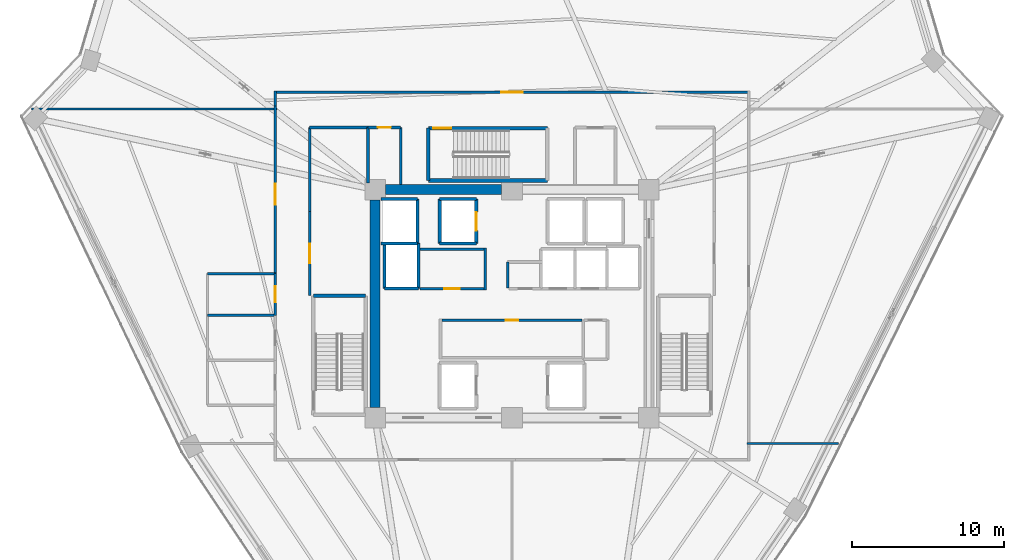
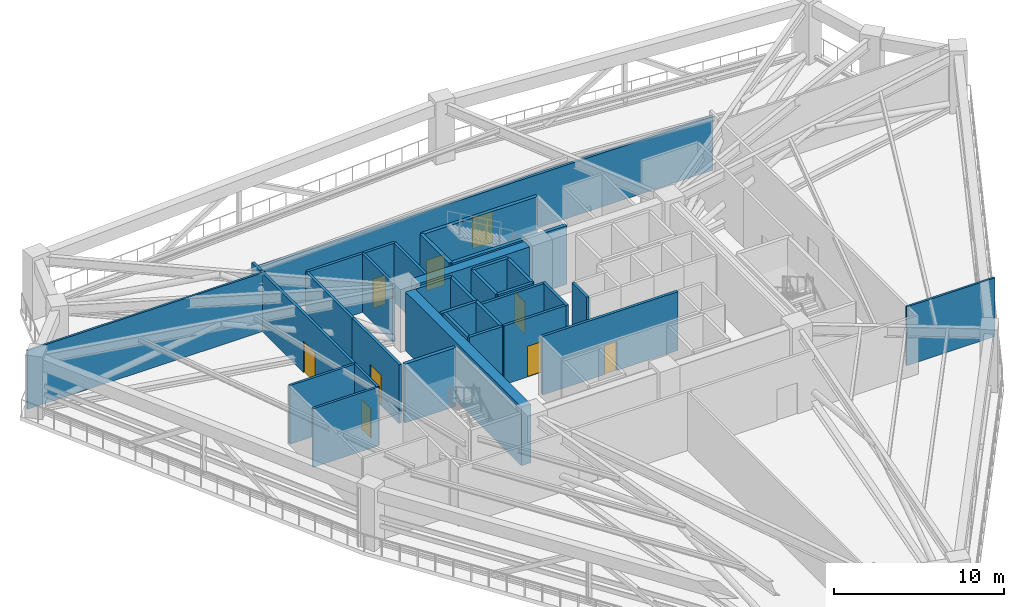
# One storey, part 15 of 22: 35 walls, 9 doors, 9 openings.
"""IFC4 building model written with IfcOpenShell, lengths in metres."""

from ifc_helpers import new_model, si_unit, direction, frame, frame_2d, origin, place, context, subcontext, project, spatial, rectangle, extrude, source, transform, mapped, material, layer, layer_set, type_object, element, fill, save


model = new_model("IFC4")

# Units and contexts
model_context = context("Model", 3, precision=1e-05, world=origin(), true_north=direction((0.0, 1.0)))
body_context = subcontext(model_context, "Body", "Model", "MODEL_VIEW")
ifc_project = project(units=[si_unit("LENGTHUNIT", "METRE"), si_unit("AREAUNIT", "SQUARE_METRE"), si_unit("VOLUMEUNIT", "CUBIC_METRE"), si_unit("PLANEANGLEUNIT", "RADIAN"), si_unit("MASSUNIT", "GRAM", prefix="KILO")], contexts=[model_context])

# Site, building, storey
site_placement = place(None, origin())
site = spatial("IfcSite", under=ifc_project, at=site_placement, CompositionType="ELEMENT")
building_placement = place(site_placement, origin())
building = spatial("IfcBuilding", under=site, at=building_placement, Name="Liaohun Quay Tower", CompositionType="ELEMENT")
storey_placement = place(building_placement, frame((0.0, 0.0, 277.5)))
storey = spatial("IfcBuildingStorey", under=building, at=storey_placement, Name="L72", CompositionType="ELEMENT", Elevation=277.5)

# Walls
ifc_material_1 = material(Name="Concrete C55", Category="concrete")
ifc_layer_1 = layer(ifc_material_1, 0.64990234375, Name="Concrete C55", Category="concrete")
ifc_layer_set_1 = layer_set([ifc_layer_1], Name="Concrete C55")
wall_type_1 = type_object("IfcWallType", Name="WAL-COR-Z3", PredefinedType="SHEAR", material=ifc_layer_set_1)
wall_1_placement = place(storey_placement, frame((51.675048828125, 61.5, 0.0), z_axis=(0.0, 0.0, 1.0), x_axis=(1.0, 0.0, 0.0)))
element("IfcWall", 1, at=wall_1_placement, inside=storey, type_object=wall_type_1, Name="L72 Central Core Shear Wall N-W", PredefinedType="SHEAR", context=body_context, shape_type="SweptSolid", body=[
    extrude(rectangle(XDim=7.64990234375, YDim=0.64990234375, at=frame_2d((3.824951171875, 0.0))), origin(), (0.0, 0.0, 1.0), 4.219970703125),
])
wall_2_placement = place(storey_placement, frame((51.0, 47.175048828125, 0.0), z_axis=(0.0, 0.0, 1.0), x_axis=(0.0, 1.0, 0.0)))
element("IfcWall", 2, at=wall_2_placement, inside=storey, type_object=wall_type_1, Name="L72 Central Core Shear Wall W", PredefinedType="SHEAR", context=body_context, shape_type="SweptSolid", body=[
    extrude(rectangle(XDim=13.64990234375, YDim=0.64990234375, at=frame_2d((6.824951171875, 0.0))), origin(), (0.0, 0.0, 1.0), 4.219970703125),
])

# Wall, opening, door
ifc_material_2 = material(Name="Autoclaved aerated concrete blockwork", Category="masonry")
ifc_layer_2 = layer(ifc_material_2, 0.179931640625, Name="Autoclaved aerated concrete blockwork", Category="masonry")
ifc_layer_set_2 = layer_set([ifc_layer_2], Name="Autoclaved aerated concrete blockwork")
wall_type_2 = type_object("IfcWallType", Name="WAL-PRT-COR", PredefinedType="PARTITIONING", material=ifc_layer_set_2)
wall_3_placement = place(storey_placement, frame((55.389892578125, 52.919921875, 0.0), z_axis=(0.0, 0.0, 1.0), x_axis=(1.0, 0.0, 0.0)))
wall_3 = element("IfcWall", 3, at=wall_3_placement, inside=storey, type_object=wall_type_2, Name="L72 Interior Partition Wall 001", PredefinedType="PARTITIONING", context=body_context, shape_type="SweptSolid", body=[
    extrude(rectangle(XDim=9.210205078125, YDim=0.179931640625, at=frame_2d((4.60498046875, 0.0))), origin(), (0.0, 0.0, 1.0), 4.219970703125),
])
shared_shape_1 = source(origin(), body_context, "Body", "SweptSolid", [
    extrude(rectangle(XDim=0.85009765625, YDim=2.10009765625, at=frame_2d((0.425048828125, 1.050048828125))), frame((0.0, 0.099853515625, 0.0), z_axis=(0.0, -1.0, 0.0), x_axis=(1.0, 0.0, 0.0)), (0.0, 0.0, 1.0), 0.199951171875),
])
opening_1_placement = place(wall_3_placement, frame((4.18505859375, 0.0, 0.0)))
opening_1 = element("IfcOpeningElement", 4, at=opening_1_placement, cuts=wall_3, Name="Opening AD1", PredefinedType="OPENING", context=body_context, shape_type="MappedRepresentation", body=[
    mapped(shared_shape_1, transform((0.0, 0.0, 0.0), x_axis=(1.0, 0.0, 0.0), y_axis=(0.0, 1.0, 0.0), z_axis=(0.0, 0.0, 1.0), scale=1.0)),
])
ifc_material_3 = material(Name="Steel riser inspection fire door", Category="steel")
door_type_1 = type_object("IfcDoorType", Name="DOR-SHF-850", OperationType="NOTDEFINED", PredefinedType="DOOR", material=ifc_material_3)
shared_shape_2 = source(origin(), body_context, "Body", "SweptSolid", [
    extrude(rectangle(XDim=0.85009765625, YDim=2.10009765625, at=frame_2d((0.425048828125, 1.050048828125))), frame((0.0, 0.02490234375, 0.0), z_axis=(0.0, -1.0, 0.0), x_axis=(1.0, 0.0, 0.0)), (0.0, 0.0, 1.0), 0.050048828125),
])
door_1_placement = place(opening_1_placement, origin())
door_1 = element("IfcDoor", 5, at=door_1_placement, inside=storey, type_object=door_type_1, Name="L72 Core Tenant Storage and Archive Room Door", OperationType="SINGLE_SWING_LEFT", OverallHeight=2.10009765625, OverallWidth=0.85009765625, PredefinedType="DOOR", context=body_context, shape_type="MappedRepresentation", body=[
    mapped(shared_shape_2, transform((0.0, 0.0, 0.0), x_axis=(1.0, 0.0, 0.0), y_axis=(0.0, 1.0, 0.0), z_axis=(0.0, 0.0, 1.0), scale=1.0)),
])
fill(opening_1, door_1)

wall_4_placement = place(storey_placement, frame((53.949951171875, 54.97998046875, 0.0), z_axis=(0.0, 0.0, 1.0), x_axis=(1.0, 0.0, 0.0)))
wall_4 = element("IfcWall", 6, at=wall_4_placement, inside=storey, type_object=wall_type_2, Name="L72 Interior Partition Wall 002", PredefinedType="PARTITIONING", context=body_context, shape_type="SweptSolid", body=[
    extrude(rectangle(XDim=4.2099609375, YDim=0.179931640625, at=frame_2d((2.10498046875, 0.0))), origin(), (0.0, 0.0, 1.0), 4.219970703125),
])
shared_shape_3 = source(origin(), body_context, "Body", "SweptSolid", [
    extrude(rectangle(XDim=1.0, YDim=2.199951171875, at=frame_2d((0.5, 1.10009765625))), frame((0.0, 0.099853515625, 0.0), z_axis=(0.0, -1.0, 0.0), x_axis=(1.0, 0.0, 0.0)), (0.0, 0.0, 1.0), 0.199951171875),
])
opening_2_placement = place(wall_4_placement, frame((1.60009765625, 0.0, 0.0)))
opening_2 = element("IfcOpeningElement", 7, at=opening_2_placement, cuts=wall_4, Name="Opening OD1", PredefinedType="OPENING", context=body_context, shape_type="MappedRepresentation", body=[
    mapped(shared_shape_3, transform((0.0, 0.0, 0.0), x_axis=(1.0, 0.0, 0.0), y_axis=(0.0, 1.0, 0.0), z_axis=(0.0, 0.0, 1.0), scale=1.0)),
])
ifc_material_4 = material(Name="Solid-core oak veneer timber leaf in steel frame", Category="steel")
door_type_2 = type_object("IfcDoorType", Name="DOR-OFF-1000", OperationType="NOTDEFINED", PredefinedType="DOOR", material=ifc_material_4)
shared_shape_4 = source(origin(), body_context, "Body", "SweptSolid", [
    extrude(rectangle(XDim=1.0, YDim=2.199951171875, at=frame_2d((0.5, 1.10009765625))), frame((0.0, 0.02490234375, 0.0), z_axis=(0.0, -1.0, 0.0), x_axis=(1.0, 0.0, 0.0)), (0.0, 0.0, 1.0), 0.050048828125),
])
door_2_placement = place(opening_2_placement, origin())
door_2 = element("IfcDoor", 8, at=door_2_placement, inside=storey, type_object=door_type_2, Name="L72 Core Staff Pantry and Tea Room Door", OperationType="SINGLE_SWING_RIGHT", OverallHeight=2.199951171875, OverallWidth=1.0, PredefinedType="DOOR", context=body_context, shape_type="MappedRepresentation", body=[
    mapped(shared_shape_4, transform((0.0, 0.0, 0.0), x_axis=(1.0, 0.0, 0.0), y_axis=(0.0, 1.0, 0.0), z_axis=(0.0, 0.0, 1.0), scale=1.0)),
])
fill(opening_2, door_2)

wall_5_placement = place(storey_placement, frame((50.5400390625, 65.580078125, 0.0), z_axis=(0.0, 0.0, 1.0), x_axis=(1.0, 0.0, 0.0)))
wall_5 = element("IfcWall", 9, at=wall_5_placement, inside=storey, type_object=wall_type_2, Name="L72 Interior Partition Wall 008", PredefinedType="PARTITIONING", context=body_context, shape_type="SweptSolid", body=[
    extrude(rectangle(XDim=2.139892578125, YDim=0.179931640625, at=frame_2d((1.06982421875, 0.0))), origin(), (0.0, 0.0, 1.0), 4.219970703125),
])
opening_3_placement = place(wall_5_placement, frame((0.64501953125, 0.0, 0.0)))
opening_3 = element("IfcOpeningElement", 10, at=opening_3_placement, cuts=wall_5, Name="Opening AD1", PredefinedType="OPENING", context=body_context, shape_type="MappedRepresentation", body=[
    mapped(shared_shape_1, transform((0.0, 0.0, 0.0), x_axis=(1.0, 0.0, 0.0), y_axis=(0.0, 1.0, 0.0), z_axis=(0.0, 0.0, 1.0), scale=1.0)),
])
door_3_placement = place(opening_3_placement, origin())
door_3 = element("IfcDoor", 11, at=door_3_placement, inside=storey, type_object=door_type_1, Name="L72 North-West Supply Store Door", OperationType="SINGLE_SWING_RIGHT", OverallHeight=2.10009765625, OverallWidth=0.85009765625, PredefinedType="DOOR", context=body_context, shape_type="MappedRepresentation", body=[
    mapped(shared_shape_2, transform((0.0, 0.0, 0.0), x_axis=(1.0, 0.0, 0.0), y_axis=(0.0, 1.0, 0.0), z_axis=(0.0, 0.0, 1.0), scale=1.0)),
])
fill(opening_3, door_3)

wall_6_placement = place(storey_placement, frame((46.699951171875, 54.5400390625, 0.0), z_axis=(0.0, 0.0, 1.0), x_axis=(0.0, 1.0, 0.0)))
wall_6 = element("IfcWall", 12, at=wall_6_placement, inside=storey, type_object=wall_type_2, Name="L72 Interior Partition Wall 010", PredefinedType="PARTITIONING", context=body_context, shape_type="SweptSolid", body=[
    extrude(rectangle(XDim=5.52001953125, YDim=0.179931640625, at=frame_2d((2.760009765625, 0.0))), origin(), (0.0, 0.0, 1.0), 4.219970703125),
])
shared_shape_5 = source(origin(), body_context, "Body", "SweptSolid", [
    extrude(rectangle(XDim=1.300048828125, YDim=2.199951171875, at=frame_2d((0.64990234375, 1.10009765625))), frame((0.0, 0.099853515625, 0.0), z_axis=(0.0, -1.0, 0.0), x_axis=(1.0, 0.0, 0.0)), (0.0, 0.0, 1.0), 0.199951171875),
])
opening_4_placement = place(wall_6_placement, frame((2.110107421875, 0.0, 0.0)))
opening_4 = element("IfcOpeningElement", 13, at=opening_4_placement, cuts=wall_6, Name="Opening FD1", PredefinedType="OPENING", context=body_context, shape_type="MappedRepresentation", body=[
    mapped(shared_shape_5, transform((0.0, 0.0, 0.0), x_axis=(1.0, 0.0, 0.0), y_axis=(0.0, 1.0, 0.0), z_axis=(0.0, 0.0, 1.0), scale=1.0)),
])
ifc_material_5 = material(Name="Galvanised steel smokeproof fire door", Category="steel")
door_type_3 = type_object("IfcDoorType", Name="DOR-FFL-1300", OperationType="NOTDEFINED", PredefinedType="DOOR", material=ifc_material_5)
shared_shape_6 = source(origin(), body_context, "Body", "SweptSolid", [
    extrude(rectangle(XDim=1.300048828125, YDim=2.199951171875, at=frame_2d((0.64990234375, 1.10009765625))), frame((0.0, 0.02490234375, 0.0), z_axis=(0.0, -1.0, 0.0), x_axis=(1.0, 0.0, 0.0)), (0.0, 0.0, 1.0), 0.050048828125),
])
door_4_placement = place(opening_4_placement, origin())
door_4 = element("IfcDoor", 14, at=door_4_placement, inside=storey, type_object=door_type_3, Name="L72 West Core Vestibule Door", OperationType="SINGLE_SWING_RIGHT", OverallHeight=2.199951171875, OverallWidth=1.300048828125, PredefinedType="DOOR", context=body_context, shape_type="MappedRepresentation", body=[
    mapped(shared_shape_6, transform((0.0, 0.0, 0.0), x_axis=(1.0, 0.0, 0.0), y_axis=(0.0, 1.0, 0.0), z_axis=(0.0, 0.0, 1.0), scale=1.0)),
])
fill(opening_4, door_4)

wall_7_placement = place(storey_placement, frame((44.3701171875, 67.909912109375, 0.0), z_axis=(0.0, 0.0, 1.0), x_axis=(1.0, 0.0, 0.0)))
wall_7 = element("IfcWall", 15, at=wall_7_placement, inside=storey, type_object=wall_type_2, Name="L72 Interior Partition Wall 013", PredefinedType="PARTITIONING", context=body_context, shape_type="SweptSolid", body=[
    extrude(rectangle(XDim=31.259765625, YDim=0.179931640625, at=frame_2d((15.6298828125, 0.0))), origin(), (0.0, 0.0, 1.0), 3.85498046875),
])
shared_shape_7 = source(origin(), body_context, "Body", "SweptSolid", [
    extrude(rectangle(XDim=1.39990234375, YDim=2.25, at=frame_2d((0.699951171875, 1.125))), frame((0.0, 0.099853515625, 0.0), z_axis=(0.0, -1.0, 0.0), x_axis=(1.0, 0.0, 0.0)), (0.0, 0.0, 1.0), 0.199951171875),
])
opening_5_placement = place(wall_7_placement, frame((14.929931640625, 0.0, 0.0)))
opening_5 = element("IfcOpeningElement", 16, at=opening_5_placement, cuts=wall_7, Name="Opening MD1", PredefinedType="OPENING", context=body_context, shape_type="MappedRepresentation", body=[
    mapped(shared_shape_7, transform((0.0, 0.0, 0.0), x_axis=(1.0, 0.0, 0.0), y_axis=(0.0, 1.0, 0.0), z_axis=(0.0, 0.0, 1.0), scale=1.0)),
])
ifc_material_6 = material(Name="Insulated steel plant room door", Category="steel")
door_type_4 = type_object("IfcDoorType", Name="DOR-MEP-1400", OperationType="DOUBLE_DOOR_SINGLE_SWING", PredefinedType="DOOR", material=ifc_material_6)
shared_shape_8 = source(origin(), body_context, "Body", "SweptSolid", [
    extrude(rectangle(XDim=1.39990234375, YDim=2.25, at=frame_2d((0.699951171875, 1.125))), frame((0.0, 0.02490234375, 0.0), z_axis=(0.0, -1.0, 0.0), x_axis=(1.0, 0.0, 0.0)), (0.0, 0.0, 1.0), 0.050048828125),
])
door_5_placement = place(opening_5_placement, origin())
door_5 = element("IfcDoor", 17, at=door_5_placement, inside=storey, type_object=door_type_4, Name="L72 Southwest Zone Electrical Switch Plant Room Door", OperationType="DOUBLE_DOOR_SINGLE_SWING", OverallHeight=2.25, OverallWidth=1.39990234375, PredefinedType="DOOR", context=body_context, shape_type="MappedRepresentation", body=[
    mapped(shared_shape_8, transform((0.0, 0.0, 0.0), x_axis=(1.0, 0.0, 0.0), y_axis=(0.0, 1.0, 0.0), z_axis=(0.0, 0.0, 1.0), scale=1.0)),
])
fill(opening_5, door_5)

wall_8_placement = place(storey_placement, frame((44.43994140625, 55.97998046875, 0.0), z_axis=(0.0, 0.0, 1.0), x_axis=(0.0, 1.0, 0.0)))
wall_8 = element("IfcWall", 18, at=wall_8_placement, inside=storey, type_object=wall_type_2, Name="L72 Interior Partition Wall 014", PredefinedType="PARTITIONING", context=body_context, shape_type="SweptSolid", body=[
    extrude(rectangle(XDim=11.034912109375, YDim=0.179931640625, at=frame_2d((5.517578125, 0.0))), origin(), (0.0, 0.0, 1.0), 4.219970703125),
])
opening_6_placement = place(wall_8_placement, frame((4.51806640625, 0.0, 0.0)))
opening_6 = element("IfcOpeningElement", 19, at=opening_6_placement, cuts=wall_8, Name="Opening MD1", PredefinedType="OPENING", context=body_context, shape_type="MappedRepresentation", body=[
    mapped(shared_shape_7, transform((0.0, 0.0, 0.0), x_axis=(1.0, 0.0, 0.0), y_axis=(0.0, 1.0, 0.0), z_axis=(0.0, 0.0, 1.0), scale=1.0)),
])
door_6_placement = place(opening_6_placement, origin())
door_6 = element("IfcDoor", 20, at=door_6_placement, inside=storey, type_object=door_type_4, Name="L72 West Air Handling Unit Plant Room Door", OperationType="DOUBLE_DOOR_SINGLE_SWING", OverallHeight=2.25, OverallWidth=1.39990234375, PredefinedType="DOOR", context=body_context, shape_type="MappedRepresentation", body=[
    mapped(shared_shape_8, transform((0.0, 0.0, 0.0), x_axis=(1.0, 0.0, 0.0), y_axis=(0.0, 1.0, 0.0), z_axis=(0.0, 0.0, 1.0), scale=1.0)),
])
fill(opening_6, door_6)

# Walls
wall_9_placement = place(storey_placement, frame((59.719970703125, 55.02001953125, 0.0), z_axis=(0.0, 0.0, 1.0), x_axis=(0.0, 1.0, 0.0)))
element("IfcWall", 21, at=wall_9_placement, inside=storey, type_object=wall_type_2, Name="L72 Interior Partition Wall 017", PredefinedType="PARTITIONING", context=body_context, shape_type="SweptSolid", body=[
    extrude(rectangle(XDim=1.72998046875, YDim=0.179931640625, at=frame_2d((0.864990234375, 0.0))), origin(), (0.0, 0.0, 1.0), 4.219970703125),
])
wall_10_placement = place(storey_placement, frame((50.5400390625, 61.949951171875, 0.0), z_axis=(0.0, 0.0, 1.0), x_axis=(0.0, 1.0, 0.0)))
element("IfcWall", 22, at=wall_10_placement, inside=storey, type_object=wall_type_2, Name="L72 Interior Partition Wall 027", PredefinedType="PARTITIONING", context=body_context, shape_type="SweptSolid", body=[
    extrude(rectangle(XDim=3.630126953125, YDim=0.179931640625, at=frame_2d((1.81494140625, 0.0))), origin(), (0.0, 0.0, 1.0), 4.219970703125),
])
wall_11_placement = place(storey_placement, frame((52.679931640625, 61.824951171875, 0.0), z_axis=(0.0, 0.0, 1.0), x_axis=(0.0, 1.0, 0.0)))
element("IfcWall", 23, at=wall_11_placement, inside=storey, type_object=wall_type_2, Name="L72 Interior Partition Wall 028", PredefinedType="PARTITIONING", context=body_context, shape_type="SweptSolid", body=[
    extrude(rectangle(XDim=3.755126953125, YDim=0.179931640625, at=frame_2d((1.87744140625, 0.0))), origin(), (0.0, 0.0, 1.0), 4.219970703125),
])
wall_12_placement = place(storey_placement, frame((46.699951171875, 65.580078125, 0.0), z_axis=(0.0, 0.0, 1.0), x_axis=(1.0, 0.0, 0.0)))
element("IfcWall", 24, at=wall_12_placement, inside=storey, type_object=wall_type_2, Name="L72 Interior Partition Wall 031", PredefinedType="PARTITIONING", context=body_context, shape_type="SweptSolid", body=[
    extrude(rectangle(XDim=3.840087890625, YDim=0.179931640625, at=frame_2d((1.919921875, 0.0))), origin(), (0.0, 0.0, 1.0), 4.219970703125),
])
wall_13_placement = place(storey_placement, frame((46.699951171875, 60.06005859375, 0.0), z_axis=(0.0, 0.0, 1.0), x_axis=(0.0, 1.0, 0.0)))
element("IfcWall", 25, at=wall_13_placement, inside=storey, type_object=wall_type_2, Name="L72 Interior Partition Wall 033", PredefinedType="PARTITIONING", context=body_context, shape_type="SweptSolid", body=[
    extrude(rectangle(XDim=5.52001953125, YDim=0.179931640625, at=frame_2d((2.760009765625, 0.0))), origin(), (0.0, 0.0, 1.0), 4.219970703125),
])
wall_14_placement = place(storey_placement, frame((44.43994140625, 67.014892578125, 0.0), z_axis=(0.0, 0.0, 1.0), x_axis=(0.0, 1.0, 0.0)))
element("IfcWall", 26, at=wall_14_placement, inside=storey, type_object=wall_type_2, Name="L72 Interior Partition Wall 035", PredefinedType="PARTITIONING", context=body_context, shape_type="SweptSolid", body=[
    extrude(rectangle(XDim=0.965087890625, YDim=0.179931640625, at=frame_2d((0.482421875, 0.0))), origin(), (0.0, 0.0, 1.0), 4.219970703125),
])
wall_15_placement = place(storey_placement, frame((58.25, 54.889892578125, 0.0), z_axis=(0.0, 0.0, 1.0), x_axis=(0.0, 1.0, 0.0)))
element("IfcWall", 27, at=wall_15_placement, inside=storey, type_object=wall_type_2, Name="L72 Interior Partition Wall 047", PredefinedType="PARTITIONING", context=body_context, shape_type="SweptSolid", body=[
    extrude(rectangle(XDim=2.780029296875, YDim=0.179931640625, at=frame_2d((1.39013671875, 0.0))), origin(), (0.0, 0.0, 1.0), 4.219970703125),
])
wall_16_placement = place(storey_placement, frame((53.949951171875, 57.580078125, 0.0), z_axis=(0.0, 0.0, 1.0), x_axis=(1.0, 0.0, 0.0)))
element("IfcWall", 28, at=wall_16_placement, inside=storey, type_object=wall_type_2, Name="L72 Interior Partition Wall 048", PredefinedType="PARTITIONING", context=body_context, shape_type="SweptSolid", body=[
    extrude(rectangle(XDim=4.2099609375, YDim=0.179931640625, at=frame_2d((2.10498046875, 0.0))), origin(), (0.0, 0.0, 1.0), 4.219970703125),
])
ifc_material_7 = material(Name="Gypsum board on twin steel studs", Category="steel")
ifc_layer_3 = layer(ifc_material_7, 0.139892578125, Name="Gypsum board on twin steel studs", Category="steel")
ifc_layer_set_3 = layer_set([ifc_layer_3], Name="Gypsum board on twin steel studs")
wall_type_3 = type_object("IfcWallType", Name="WAL-PRT-OFF", PredefinedType="PARTITIONING", material=ifc_layer_set_3)
wall_17_placement = place(storey_placement, frame((75.4599609375, 44.800048828125, 0.0), z_axis=(0.0, 0.0, 1.0), x_axis=(1.0, 0.0, 0.0)))
element("IfcWall", 29, at=wall_17_placement, inside=storey, type_object=wall_type_3, Name="L72 Interior Partition Wall 041", PredefinedType="PARTITIONING", context=body_context, shape_type="SweptSolid", body=[
    extrude(rectangle(XDim=6.008056640625, YDim=0.139892578125, at=frame_2d((3.00390625, 0.0))), origin(), (0.0, 0.0, 1.0), 4.219970703125),
])
wall_18_placement = place(storey_placement, frame((44.5400390625, 66.800048828125, 0.0), z_axis=(0.0, 0.0, 1.0), x_axis=(-1.0, 0.0, 0.0)))
element("IfcWall", 30, at=wall_18_placement, inside=storey, type_object=wall_type_3, Name="L72 Interior Partition Wall 042", PredefinedType="PARTITIONING", context=body_context, shape_type="SweptSolid", body=[
    extrude(rectangle(XDim=16.14501953125, YDim=0.139892578125, at=frame_2d((8.072509765625, 0.0))), origin(), (0.0, 0.0, 1.0), 4.219970703125),
])

# Wall, opening, door
ifc_material_8 = material(Name="Moisture-resistant masonry blockwork", Category="masonry")
ifc_layer_4 = layer(ifc_material_8, 0.159912109375, Name="Moisture-resistant masonry blockwork", Category="masonry")
ifc_layer_set_4 = layer_set([ifc_layer_4], Name="Moisture-resistant masonry blockwork")
wall_type_4 = type_object("IfcWallType", Name="WAL-PRT-WET", PredefinedType="PARTITIONING", material=ifc_layer_set_4)
wall_19_placement = place(storey_placement, frame((44.43994140625, 53.239990234375, 0.0), z_axis=(0.0, 0.0, 1.0), x_axis=(0.0, 1.0, 0.0)))
wall_19 = element("IfcWall", 31, at=wall_19_placement, inside=storey, type_object=wall_type_4, Name="L72 Interior Partition Wall 007", PredefinedType="PARTITIONING", context=body_context, shape_type="SweptSolid", body=[
    extrude(rectangle(XDim=2.739990234375, YDim=0.159912109375, at=frame_2d((1.3701171875, 0.0))), origin(), (0.0, 0.0, 1.0), 4.219970703125),
])
shared_shape_9 = source(origin(), body_context, "Body", "SweptSolid", [
    extrude(rectangle(XDim=1.050048828125, YDim=2.14990234375, at=frame_2d((0.52490234375, 1.074951171875))), frame((0.0, 0.08984375, 0.0), z_axis=(0.0, -1.0, 0.0), x_axis=(1.0, 0.0, 0.0)), (0.0, 0.0, 1.0), 0.179931640625),
])
opening_7_placement = place(wall_19_placement, frame((0.844970703125, 0.0, 0.0)))
opening_7 = element("IfcOpeningElement", 32, at=opening_7_placement, cuts=wall_19, Name="Opening WD2", PredefinedType="OPENING", context=body_context, shape_type="MappedRepresentation", body=[
    mapped(shared_shape_9, transform((0.0, 0.0, 0.0), x_axis=(1.0, 0.0, 0.0), y_axis=(0.0, 1.0, 0.0), z_axis=(0.0, 0.0, 1.0), scale=1.0)),
])
ifc_material_9 = material(Name="Accessible outward-swinging laminate door")
door_type_5 = type_object("IfcDoorType", Name="DOR-AWC-1050", OperationType="NOTDEFINED", PredefinedType="DOOR", material=ifc_material_9)
shared_shape_10 = source(origin(), body_context, "Body", "SweptSolid", [
    extrude(rectangle(XDim=1.050048828125, YDim=2.14990234375, at=frame_2d((0.52490234375, 1.074951171875))), frame((0.0, 0.02490234375, 0.0), z_axis=(0.0, -1.0, 0.0), x_axis=(1.0, 0.0, 0.0)), (0.0, 0.0, 1.0), 0.050048828125),
])
door_7_placement = place(opening_7_placement, origin())
door_7 = element("IfcDoor", 33, at=door_7_placement, inside=storey, type_object=door_type_5, Name="L72 Accessible WC Door", OperationType="SINGLE_SWING_LEFT", OverallHeight=2.14990234375, OverallWidth=1.050048828125, PredefinedType="DOOR", context=body_context, shape_type="MappedRepresentation", body=[
    mapped(shared_shape_10, transform((0.0, 0.0, 0.0), x_axis=(1.0, 0.0, 0.0), y_axis=(0.0, 1.0, 0.0), z_axis=(0.0, 0.0, 1.0), scale=1.0)),
])
fill(opening_7, door_7)

# Walls
for number, where, z_axis, x_axis, name in (
    (34, (39.97998046875, 53.239990234375, 0.0), (0.0, 0.0, 1.0), (1.0, 0.0, 0.0), "L72 Interior Partition Wall 025"),
    (35, (39.97998046875, 55.97998046875, 0.0), (0.0, 0.0, 1.0), (1.0, 0.0, 0.0), "L72 Interior Partition Wall 026"),
):
    element("IfcWall", number, at=place(storey_placement, frame(where, z_axis=z_axis, x_axis=x_axis)), inside=storey, type_object=wall_type_4, Name=name, PredefinedType="PARTITIONING", context=body_context, shape_type="SweptSolid", body=[
        extrude(rectangle(XDim=4.4599609375, YDim=0.159912109375, at=frame_2d((2.22998046875, 0.0))), origin(), (0.0, 0.0, 1.0), 4.219970703125),
    ])
ifc_material_10 = material(Name="Concrete C50", Category="concrete")
ifc_layer_5 = layer(ifc_material_10, 0.239990234375, Name="Concrete C50", Category="concrete")
ifc_layer_set_5 = layer_set([ifc_layer_5], Name="Concrete C50")
wall_type_5 = type_object("IfcWallType", Name="WAL-SHF-200", PredefinedType="SOLIDWALL", material=ifc_layer_set_5)
wall_20_placement = place(storey_placement, frame((50.3798828125, 54.52001953125, 0.0), z_axis=(0.0, 0.0, 1.0), x_axis=(-1.0, 0.0, 0.0)))
element("IfcWall", 36, at=wall_20_placement, inside=storey, type_object=wall_type_5, Name="L72 Stairwell ST-1 Structural Core Wall N", PredefinedType="SOLIDWALL", context=body_context, shape_type="SweptSolid", body=[
    extrude(rectangle(XDim=3.43994140625, YDim=0.239990234375, at=frame_2d((1.719970703125, 0.0))), origin(), (0.0, 0.0, 1.0), 4.219970703125),
])
wall_21_placement = place(storey_placement, frame((54.5, 62.10009765625, 0.0), z_axis=(0.0, 0.0, 1.0), x_axis=(1.0, 0.0, 0.0)))
element("IfcWall", 37, at=wall_21_placement, inside=storey, type_object=wall_type_5, Name="L72 Stairwell ST-3 Structural Core Wall S", PredefinedType="SOLIDWALL", context=body_context, shape_type="SweptSolid", body=[
    extrude(rectangle(XDim=7.820068359375, YDim=0.239990234375, at=frame_2d((3.91015625, 0.0))), origin(), (0.0, 0.0, 1.0), 4.219970703125),
])

# Wall, opening, door
wall_22_placement = place(storey_placement, frame((62.320068359375, 65.5400390625, 0.0), z_axis=(0.0, 0.0, 1.0), x_axis=(-1.0, 0.0, 0.0)))
wall_22 = element("IfcWall", 38, at=wall_22_placement, inside=storey, type_object=wall_type_5, Name="L72 Stairwell ST-3 Structural Core Wall N", PredefinedType="SOLIDWALL", context=body_context, shape_type="SweptSolid", body=[
    extrude(rectangle(XDim=7.820068359375, YDim=0.239990234375, at=frame_2d((3.91015625, 0.0))), origin(), (0.0, 0.0, 1.0), 4.219970703125),
])
shared_shape_11 = source(origin(), body_context, "Body", "SweptSolid", [
    extrude(rectangle(XDim=1.199951171875, YDim=2.199951171875, at=frame_2d((0.60009765625, 1.10009765625))), frame((0.0, 0.1298828125, 0.0), z_axis=(0.0, -1.0, 0.0), x_axis=(1.0, 0.0, 0.0)), (0.0, 0.0, 1.0), 0.260009765625),
])
opening_8_placement = place(wall_22_placement, frame((6.300048828125, 0.0, 0.0)))
opening_8 = element("IfcOpeningElement", 39, at=opening_8_placement, cuts=wall_22, Name="Opening SD1", PredefinedType="OPENING", context=body_context, shape_type="MappedRepresentation", body=[
    mapped(shared_shape_11, transform((0.0, 0.0, 0.0), x_axis=(1.0, 0.0, 0.0), y_axis=(0.0, 1.0, 0.0), z_axis=(0.0, 0.0, 1.0), scale=1.0)),
])
ifc_material_11 = material(Name="Galvanised steel fire door", Category="steel")
door_type_6 = type_object("IfcDoorType", Name="DOR-STR-1200", OperationType="NOTDEFINED", PredefinedType="DOOR", material=ifc_material_11)
shared_shape_12 = source(origin(), body_context, "Body", "SweptSolid", [
    extrude(rectangle(XDim=1.199951171875, YDim=2.199951171875, at=frame_2d((0.60009765625, 1.10009765625))), frame((0.0, 0.02490234375, 0.0), z_axis=(0.0, -1.0, 0.0), x_axis=(1.0, 0.0, 0.0)), (0.0, 0.0, 1.0), 0.050048828125),
])
door_8_placement = place(opening_8_placement, origin())
door_8 = element("IfcDoor", 40, at=door_8_placement, inside=storey, type_object=door_type_6, Name="L72 Protected Stair ST-3 Fire Door", OperationType="SINGLE_SWING_RIGHT", OverallHeight=2.199951171875, OverallWidth=1.199951171875, PredefinedType="DOOR", context=body_context, shape_type="MappedRepresentation", body=[
    mapped(shared_shape_12, transform((0.0, 0.0, 0.0), x_axis=(1.0, 0.0, 0.0), y_axis=(0.0, 1.0, 0.0), z_axis=(0.0, 0.0, 1.0), scale=1.0)),
])
fill(opening_8, door_8)

# Walls
wall_23_placement = place(storey_placement, frame((54.5, 65.5400390625, 0.0), z_axis=(0.0, 0.0, 1.0), x_axis=(0.0, -1.0, 0.0)))
element("IfcWall", 41, at=wall_23_placement, inside=storey, type_object=wall_type_5, Name="L72 Stairwell ST-3 Structural Core Wall W", PredefinedType="SOLIDWALL", context=body_context, shape_type="SweptSolid", body=[
    extrude(rectangle(XDim=3.43994140625, YDim=0.239990234375, at=frame_2d((1.719970703125, 0.0))), origin(), (0.0, 0.0, 1.0), 4.219970703125),
])
wall_24_placement = place(storey_placement, frame((55.25, 57.949951171875, 0.0), z_axis=(0.0, 0.0, 1.0), x_axis=(1.0, 0.0, 0.0)))
element("IfcWall", 42, at=wall_24_placement, inside=storey, type_object=wall_type_5, Name="L72 Lift FF-03 Hoistway Wall S", PredefinedType="SOLIDWALL", context=body_context, shape_type="SweptSolid", body=[
    extrude(rectangle(XDim=2.39990234375, YDim=0.199951171875, at=frame_2d((1.199951171875, 0.0))), origin(), (0.0, 0.0, 1.0), 4.219970703125),
])

# Wall, opening, door
wall_25_placement = place(storey_placement, frame((57.64990234375, 57.949951171875, 0.0), z_axis=(0.0, 0.0, 1.0), x_axis=(0.0, 1.0, 0.0)))
wall_25 = element("IfcWall", 43, at=wall_25_placement, inside=storey, type_object=wall_type_5, Name="L72 Lift FF-03 Hoistway Wall E", PredefinedType="SOLIDWALL", context=body_context, shape_type="SweptSolid", body=[
    extrude(rectangle(XDim=2.929931640625, YDim=0.199951171875, at=frame_2d((1.46484375, 0.0))), origin(), (0.0, 0.0, 1.0), 4.219970703125),
])
shared_shape_13 = source(origin(), body_context, "Body", "SweptSolid", [
    extrude(rectangle(XDim=1.199951171875, YDim=2.300048828125, at=frame_2d((0.60009765625, 1.14990234375))), frame((0.0, 0.10986328125, 0.0), z_axis=(0.0, -1.0, 0.0), x_axis=(1.0, 0.0, 0.0)), (0.0, 0.0, 1.0), 0.219970703125),
])
opening_9_placement = place(wall_25_placement, frame((0.864990234375, 0.0, 0.0)))
opening_9 = element("IfcOpeningElement", 44, at=opening_9_placement, cuts=wall_25, Name="Opening LD2", PredefinedType="OPENING", context=body_context, shape_type="MappedRepresentation", body=[
    mapped(shared_shape_13, transform((0.0, 0.0, 0.0), x_axis=(1.0, 0.0, 0.0), y_axis=(0.0, 1.0, 0.0), z_axis=(0.0, 0.0, 1.0), scale=1.0)),
])
ifc_material_12 = material(Name="Brushed stainless steel stretcher landing door", Category="steel")
door_type_7 = type_object("IfcDoorType", Name="DOR-LFT-1200", OperationType="SLIDING_TO_LEFT", PredefinedType="DOOR", material=ifc_material_12)
shared_shape_14 = source(origin(), body_context, "Body", "SweptSolid", [
    extrude(rectangle(XDim=1.199951171875, YDim=2.300048828125, at=frame_2d((0.60009765625, 1.14990234375))), frame((0.0, 0.02490234375, 0.0), z_axis=(0.0, -1.0, 0.0), x_axis=(1.0, 0.0, 0.0)), (0.0, 0.0, 1.0), 0.050048828125),
])
door_9_placement = place(opening_9_placement, origin())
door_9 = element("IfcDoor", 45, at=door_9_placement, inside=storey, type_object=door_type_7, Name="L72 Lift FF-03 Sliding Landing Door", OperationType="SLIDING_TO_LEFT", OverallHeight=2.300048828125, OverallWidth=1.199951171875, PredefinedType="DOOR", context=body_context, shape_type="MappedRepresentation", body=[
    mapped(shared_shape_14, transform((0.0, 0.0, 0.0), x_axis=(1.0, 0.0, 0.0), y_axis=(0.0, 1.0, 0.0), z_axis=(0.0, 0.0, 1.0), scale=1.0)),
])
fill(opening_9, door_9)

# Walls
wall_26_placement = place(storey_placement, frame((57.64990234375, 60.8798828125, 0.0), z_axis=(0.0, 0.0, 1.0), x_axis=(-1.0, 0.0, 0.0)))
element("IfcWall", 46, at=wall_26_placement, inside=storey, type_object=wall_type_5, Name="L72 Lift FF-03 Hoistway Wall N", PredefinedType="SOLIDWALL", context=body_context, shape_type="SweptSolid", body=[
    extrude(rectangle(XDim=2.39990234375, YDim=0.199951171875, at=frame_2d((1.199951171875, 0.0))), origin(), (0.0, 0.0, 1.0), 4.219970703125),
])
wall_27_placement = place(storey_placement, frame((55.25, 60.8798828125, 0.0), z_axis=(0.0, 0.0, 1.0), x_axis=(0.0, -1.0, 0.0)))
element("IfcWall", 47, at=wall_27_placement, inside=storey, type_object=wall_type_5, Name="L72 Lift FF-03 Hoistway Wall W", PredefinedType="SOLIDWALL", context=body_context, shape_type="SweptSolid", body=[
    extrude(rectangle(XDim=2.929931640625, YDim=0.199951171875, at=frame_2d((1.46484375, 0.0))), origin(), (0.0, 0.0, 1.0), 4.219970703125),
])
wall_28_placement = place(storey_placement, frame((51.39990234375, 57.949951171875, 0.0), z_axis=(0.0, 0.0, 1.0), x_axis=(1.0, 0.0, 0.0)))
element("IfcWall", 48, at=wall_28_placement, inside=storey, type_object=wall_type_5, Name="L72 Lift SH-01 Hoistway Wall S", PredefinedType="SOLIDWALL", context=body_context, shape_type="SweptSolid", body=[
    extrude(rectangle(XDim=2.400146484375, YDim=0.199951171875, at=frame_2d((1.2001953125, 0.0))), origin(), (0.0, 0.0, 1.0), 4.219970703125),
])
wall_29_placement = place(storey_placement, frame((53.800048828125, 57.949951171875, 0.0), z_axis=(0.0, 0.0, 1.0), x_axis=(0.0, 1.0, 0.0)))
element("IfcWall", 49, at=wall_29_placement, inside=storey, type_object=wall_type_5, Name="L72 Lift SH-01 Hoistway Wall E", PredefinedType="SOLIDWALL", context=body_context, shape_type="SweptSolid", body=[
    extrude(rectangle(XDim=2.929931640625, YDim=0.199951171875, at=frame_2d((1.46484375, 0.0))), origin(), (0.0, 0.0, 1.0), 4.219970703125),
])
wall_30_placement = place(storey_placement, frame((53.800048828125, 60.8798828125, 0.0), z_axis=(0.0, 0.0, 1.0), x_axis=(-1.0, 0.0, 0.0)))
element("IfcWall", 50, at=wall_30_placement, inside=storey, type_object=wall_type_5, Name="L72 Lift SH-01 Hoistway Wall N", PredefinedType="SOLIDWALL", context=body_context, shape_type="SweptSolid", body=[
    extrude(rectangle(XDim=2.400146484375, YDim=0.199951171875, at=frame_2d((1.2001953125, 0.0))), origin(), (0.0, 0.0, 1.0), 4.219970703125),
])
wall_31_placement = place(storey_placement, frame((51.6201171875, 55.0, 0.0), z_axis=(0.0, 0.0, 1.0), x_axis=(1.0, 0.0, 0.0)))
element("IfcWall", 51, at=wall_31_placement, inside=storey, type_object=wall_type_5, Name="L72 Lift SH-02 Hoistway Wall S", PredefinedType="SOLIDWALL", context=body_context, shape_type="SweptSolid", body=[
    extrude(rectangle(XDim=2.22998046875, YDim=0.199951171875, at=frame_2d((1.114990234375, 0.0))), origin(), (0.0, 0.0, 1.0), 4.219970703125),
])
for number, where, z_axis, x_axis, name in (
    (52, (53.85009765625, 55.0, 0.0), (0.0, 0.0, 1.0), (0.0, 1.0, 0.0), "L72 Lift SH-02 Hoistway Wall E"),
    (53, (51.6201171875, 58.0, 0.0), (0.0, 0.0, 1.0), (0.0, -1.0, 0.0), "L72 Lift SH-02 Hoistway Wall W"),
):
    element("IfcWall", number, at=place(storey_placement, frame(where, z_axis=z_axis, x_axis=x_axis)), inside=storey, type_object=wall_type_5, Name=name, PredefinedType="SOLIDWALL", context=body_context, shape_type="SweptSolid", body=[
        extrude(rectangle(XDim=3.0, YDim=0.199951171875, at=frame_2d((1.5, 0.0))), origin(), (0.0, 0.0, 1.0), 4.219970703125),
    ])

save(model, "model.ifc")
